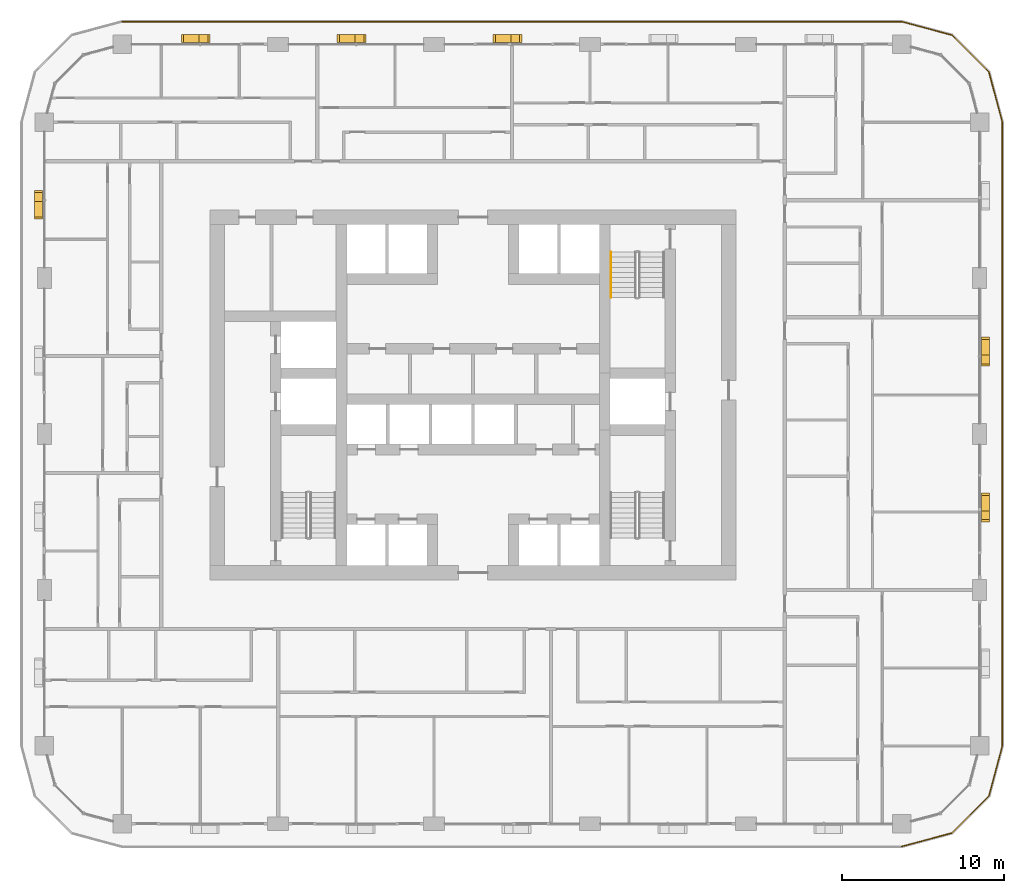
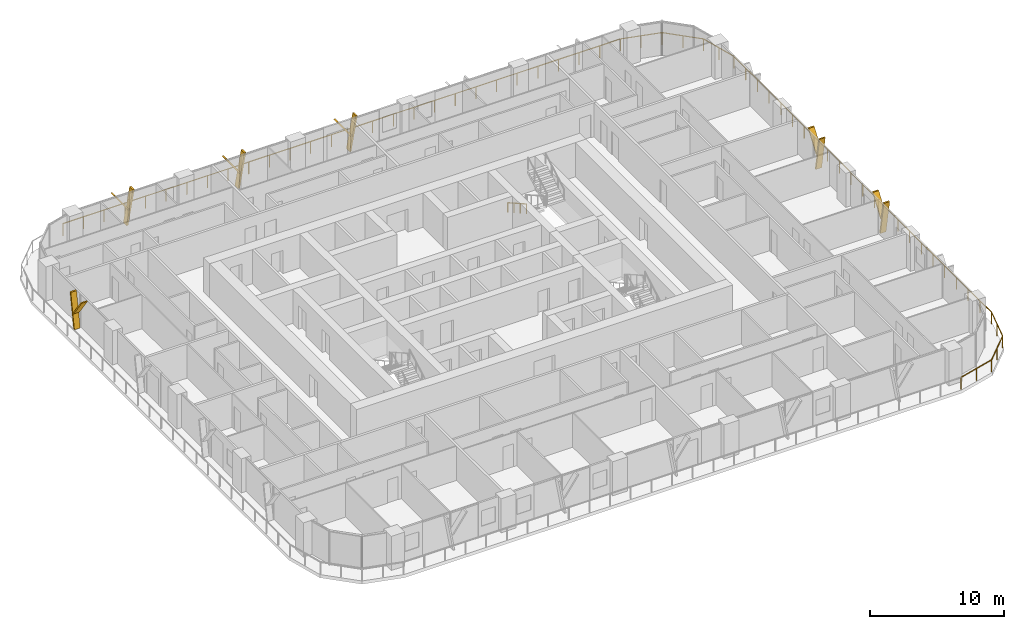
# One storey, part 20 of 21: 12 shading devices, 2 railings.
"""IFC4 building model written with IfcOpenShell, lengths in metres."""

from ifc_helpers import new_model, si_unit, direction, frame, origin, origin_2d, place, context, subcontext, project, spatial, polyline, circle, outline, extrude, material, type_object, element, save


model = new_model("IFC4")

# Units and contexts
model_context = context("Model", 3, precision=1e-05, world=origin(), true_north=direction((0.0, 1.0)))
body_context = subcontext(model_context, "Body", "Model", "MODEL_VIEW")
ifc_project = project(units=[si_unit("LENGTHUNIT", "METRE"), si_unit("AREAUNIT", "SQUARE_METRE"), si_unit("VOLUMEUNIT", "CUBIC_METRE"), si_unit("PLANEANGLEUNIT", "RADIAN"), si_unit("MASSUNIT", "GRAM", prefix="KILO")], contexts=[model_context])

# Site, building, storey
site_placement = place(None, origin())
site = spatial("IfcSite", under=ifc_project, at=site_placement, CompositionType="ELEMENT")
building_placement = place(site_placement, origin())
building = spatial("IfcBuilding", under=site, at=building_placement, Name="Madar Terraces", CompositionType="ELEMENT")
storey_placement = place(building_placement, frame((0.0, 0.0, 80.300048828125)))
storey = spatial("IfcBuildingStorey", under=building, at=storey_placement, Name="L20", CompositionType="ELEMENT", Elevation=80.300048828125)

# Railing
ifc_material_1 = material(Name="Glass, safety glazing, with stainless steel posts", Category="steel")
railing_type_1 = type_object("IfcRailingType", Name="Balcony glass guard 1100", PredefinedType="GUARDRAIL", material=ifc_material_1)
railing_1_placement = place(storey_placement, frame((57.60009765625, -1.39990234375, 0.0)))
element("IfcRailing", 1, at=railing_1_placement, inside=storey, type_object=railing_type_1, Name="Balcony guard", PredefinedType="GUARDRAIL", context=body_context, shape_type="SweptSolid", body=[
    extrude(circle(Radius=0.02392578125, at=origin_2d()), frame((0.0, 0.0, 1.076171875), z_axis=(0.965928696102, 0.258808334578, 0.0), x_axis=(-0.258808334578, 0.965928696102, 0.0)), (0.0, 0.0, 1.0), 3.209228515625),
    extrude(circle(Radius=0.02392578125, at=origin_2d()), frame((3.099853515625, 0.83056640625, 1.076171875), z_axis=(0.707144815061, 0.707068745266, 0.0), x_axis=(-0.707068745266, 0.707144815061, 0.0)), (0.0, 0.0, 1.0), 3.20947265625),
    extrude(circle(Radius=0.02392578125, at=origin_2d()), frame((5.369384765625, 3.099853515625, 1.076171875), z_axis=(0.258789317819, 0.9659337912, 0.0), x_axis=(-0.9659337912, 0.258789317819, 0.0)), (0.0, 0.0, 1.0), 3.20947265625),
    extrude(circle(Radius=0.02392578125, at=origin_2d()), frame((6.199951171875, 6.199951171875, 1.076171875), z_axis=(0.0, 1.0, 0.0), x_axis=(-1.0, 0.0, 0.0)), (0.0, 0.0, 1.0), 38.39990234375),
    extrude(circle(Radius=0.02392578125, at=origin_2d()), frame((6.199951171875, 44.599853515625, 1.076171875), z_axis=(-0.258789317819, 0.9659337912, 0.0), x_axis=(-0.9659337912, -0.258789317819, 0.0)), (0.0, 0.0, 1.0), 3.20947265625),
    extrude(circle(Radius=0.02392578125, at=origin_2d()), frame((5.369384765625, 47.699951171875, 1.076171875), z_axis=(-0.707144815061, 0.707068745266, 0.0), x_axis=(-0.707068745266, -0.707144815061, 0.0)), (0.0, 0.0, 1.0), 3.20947265625),
    extrude(circle(Radius=0.02392578125, at=origin_2d()), frame((3.099853515625, 49.96923828125, 1.076171875), z_axis=(-0.965928696102, 0.258808334578, 0.0), x_axis=(-0.258808334578, -0.965928696102, 0.0)), (0.0, 0.0, 1.0), 3.209228515625),
    extrude(circle(Radius=0.02392578125, at=origin_2d()), frame((0.0, 50.7998046875, 1.076171875), z_axis=(-1.0, 0.0, 0.0), x_axis=(0.0, -1.0, 0.0)), (0.0, 0.0, 1.0), 48.0),
    extrude(circle(Radius=0.02099609375, at=origin_2d()), origin(), (0.0, 0.0, 1.0), 1.052001953125),
    extrude(circle(Radius=0.02099609375, at=origin_2d()), frame((1.5498046875, 0.415283203125, 0.0)), (0.0, 0.0, 1.0), 1.052001953125),
    extrude(circle(Radius=0.02099609375, at=origin_2d()), frame((3.099853515625, 0.83056640625, 0.0)), (0.0, 0.0, 1.0), 1.052001953125),
    extrude(circle(Radius=0.02099609375, at=origin_2d()), frame((4.234619140625, 1.96533203125, 0.0)), (0.0, 0.0, 1.0), 1.052001953125),
    extrude(circle(Radius=0.02099609375, at=origin_2d()), frame((5.369384765625, 3.099853515625, 0.0)), (0.0, 0.0, 1.0), 1.052001953125),
    extrude(circle(Radius=0.02099609375, at=origin_2d()), frame((5.78466796875, 4.64990234375, 0.0)), (0.0, 0.0, 1.0), 1.052001953125),
    extrude(circle(Radius=0.02099609375, at=origin_2d()), frame((6.199951171875, 6.199951171875, 0.0)), (0.0, 0.0, 1.0), 1.052001953125),
    extrude(circle(Radius=0.02099609375, at=origin_2d()), frame((6.199951171875, 7.9453125, 0.0)), (0.0, 0.0, 1.0), 1.052001953125),
    extrude(circle(Radius=0.02099609375, at=origin_2d()), frame((6.199951171875, 9.69091796875, 0.0)), (0.0, 0.0, 1.0), 1.052001953125),
    extrude(circle(Radius=0.02099609375, at=origin_2d()), frame((6.199951171875, 11.436279296875, 0.0)), (0.0, 0.0, 1.0), 1.052001953125),
    extrude(circle(Radius=0.02099609375, at=origin_2d()), frame((6.199951171875, 13.181640625, 0.0)), (0.0, 0.0, 1.0), 1.052001953125),
    extrude(circle(Radius=0.02099609375, at=origin_2d()), frame((6.199951171875, 14.92724609375, 0.0)), (0.0, 0.0, 1.0), 1.052001953125),
    extrude(circle(Radius=0.02099609375, at=origin_2d()), frame((6.199951171875, 16.672607421875, 0.0)), (0.0, 0.0, 1.0), 1.052001953125),
    extrude(circle(Radius=0.02099609375, at=origin_2d()), frame((6.199951171875, 18.418212890625, 0.0)), (0.0, 0.0, 1.0), 1.052001953125),
    extrude(circle(Radius=0.02099609375, at=origin_2d()), frame((6.199951171875, 20.16357421875, 0.0)), (0.0, 0.0, 1.0), 1.052001953125),
    extrude(circle(Radius=0.02099609375, at=origin_2d()), frame((6.199951171875, 21.908935546875, 0.0)), (0.0, 0.0, 1.0), 1.052001953125),
    extrude(circle(Radius=0.02099609375, at=origin_2d()), frame((6.199951171875, 23.654541015625, 0.0)), (0.0, 0.0, 1.0), 1.052001953125),
    extrude(circle(Radius=0.02099609375, at=origin_2d()), frame((6.199951171875, 25.39990234375, 0.0)), (0.0, 0.0, 1.0), 1.052001953125),
    extrude(circle(Radius=0.02099609375, at=origin_2d()), frame((6.199951171875, 27.145263671875, 0.0)), (0.0, 0.0, 1.0), 1.052001953125),
    extrude(circle(Radius=0.02099609375, at=origin_2d()), frame((6.199951171875, 28.890869140625, 0.0)), (0.0, 0.0, 1.0), 1.052001953125),
    extrude(circle(Radius=0.02099609375, at=origin_2d()), frame((6.199951171875, 30.63623046875, 0.0)), (0.0, 0.0, 1.0), 1.052001953125),
    extrude(circle(Radius=0.02099609375, at=origin_2d()), frame((6.199951171875, 32.381591796875, 0.0)), (0.0, 0.0, 1.0), 1.052001953125),
    extrude(circle(Radius=0.02099609375, at=origin_2d()), frame((6.199951171875, 34.127197265625, 0.0)), (0.0, 0.0, 1.0), 1.052001953125),
    extrude(circle(Radius=0.02099609375, at=origin_2d()), frame((6.199951171875, 35.87255859375, 0.0)), (0.0, 0.0, 1.0), 1.052001953125),
    extrude(circle(Radius=0.02099609375, at=origin_2d()), frame((6.199951171875, 37.6181640625, 0.0)), (0.0, 0.0, 1.0), 1.052001953125),
    extrude(circle(Radius=0.02099609375, at=origin_2d()), frame((6.199951171875, 39.363525390625, 0.0)), (0.0, 0.0, 1.0), 1.052001953125),
    extrude(circle(Radius=0.02099609375, at=origin_2d()), frame((6.199951171875, 41.10888671875, 0.0)), (0.0, 0.0, 1.0), 1.052001953125),
    extrude(circle(Radius=0.02099609375, at=origin_2d()), frame((6.199951171875, 42.8544921875, 0.0)), (0.0, 0.0, 1.0), 1.052001953125),
    extrude(circle(Radius=0.02099609375, at=origin_2d()), frame((6.199951171875, 44.599853515625, 0.0)), (0.0, 0.0, 1.0), 1.052001953125),
    extrude(circle(Radius=0.02099609375, at=origin_2d()), frame((5.78466796875, 46.14990234375, 0.0)), (0.0, 0.0, 1.0), 1.052001953125),
    extrude(circle(Radius=0.02099609375, at=origin_2d()), frame((5.369384765625, 47.699951171875, 0.0)), (0.0, 0.0, 1.0), 1.052001953125),
    extrude(circle(Radius=0.02099609375, at=origin_2d()), frame((4.234619140625, 48.83447265625, 0.0)), (0.0, 0.0, 1.0), 1.052001953125),
    extrude(circle(Radius=0.02099609375, at=origin_2d()), frame((3.099853515625, 49.96923828125, 0.0)), (0.0, 0.0, 1.0), 1.052001953125),
    extrude(circle(Radius=0.02099609375, at=origin_2d()), frame((1.5498046875, 50.384521484375, 0.0)), (0.0, 0.0, 1.0), 1.052001953125),
    extrude(circle(Radius=0.02099609375, at=origin_2d()), frame((0.0, 50.7998046875, 0.0)), (0.0, 0.0, 1.0), 1.052001953125),
    extrude(circle(Radius=0.02099609375, at=origin_2d()), frame((-1.77783203125, 50.7998046875, 0.0)), (0.0, 0.0, 1.0), 1.052001953125),
    extrude(circle(Radius=0.02099609375, at=origin_2d()), frame((-3.5556640625, 50.7998046875, 0.0)), (0.0, 0.0, 1.0), 1.052001953125),
    extrude(circle(Radius=0.02099609375, at=origin_2d()), frame((-5.333251953125, 50.7998046875, 0.0)), (0.0, 0.0, 1.0), 1.052001953125),
    extrude(circle(Radius=0.02099609375, at=origin_2d()), frame((-7.111083984375, 50.7998046875, 0.0)), (0.0, 0.0, 1.0), 1.052001953125),
    extrude(circle(Radius=0.02099609375, at=origin_2d()), frame((-8.888916015625, 50.7998046875, 0.0)), (0.0, 0.0, 1.0), 1.052001953125),
    extrude(circle(Radius=0.02099609375, at=origin_2d()), frame((-10.666748046875, 50.7998046875, 0.0)), (0.0, 0.0, 1.0), 1.052001953125),
    extrude(circle(Radius=0.02099609375, at=origin_2d()), frame((-12.4443359375, 50.7998046875, 0.0)), (0.0, 0.0, 1.0), 1.052001953125),
    extrude(circle(Radius=0.02099609375, at=origin_2d()), frame((-14.22216796875, 50.7998046875, 0.0)), (0.0, 0.0, 1.0), 1.052001953125),
    extrude(circle(Radius=0.02099609375, at=origin_2d()), frame((-16.0, 50.7998046875, 0.0)), (0.0, 0.0, 1.0), 1.052001953125),
    extrude(circle(Radius=0.02099609375, at=origin_2d()), frame((-17.77783203125, 50.7998046875, 0.0)), (0.0, 0.0, 1.0), 1.052001953125),
    extrude(circle(Radius=0.02099609375, at=origin_2d()), frame((-19.5556640625, 50.7998046875, 0.0)), (0.0, 0.0, 1.0), 1.052001953125),
    extrude(circle(Radius=0.02099609375, at=origin_2d()), frame((-21.333251953125, 50.7998046875, 0.0)), (0.0, 0.0, 1.0), 1.052001953125),
    extrude(circle(Radius=0.02099609375, at=origin_2d()), frame((-23.111083984375, 50.7998046875, 0.0)), (0.0, 0.0, 1.0), 1.052001953125),
    extrude(circle(Radius=0.02099609375, at=origin_2d()), frame((-24.888916015625, 50.7998046875, 0.0)), (0.0, 0.0, 1.0), 1.052001953125),
    extrude(circle(Radius=0.02099609375, at=origin_2d()), frame((-26.666748046875, 50.7998046875, 0.0)), (0.0, 0.0, 1.0), 1.052001953125),
    extrude(circle(Radius=0.02099609375, at=origin_2d()), frame((-28.4443359375, 50.7998046875, 0.0)), (0.0, 0.0, 1.0), 1.052001953125),
    extrude(circle(Radius=0.02099609375, at=origin_2d()), frame((-30.22216796875, 50.7998046875, 0.0)), (0.0, 0.0, 1.0), 1.052001953125),
    extrude(circle(Radius=0.02099609375, at=origin_2d()), frame((-32.0, 50.7998046875, 0.0)), (0.0, 0.0, 1.0), 1.052001953125),
    extrude(circle(Radius=0.02099609375, at=origin_2d()), frame((-33.77783203125, 50.7998046875, 0.0)), (0.0, 0.0, 1.0), 1.052001953125),
    extrude(circle(Radius=0.02099609375, at=origin_2d()), frame((-35.5556640625, 50.7998046875, 0.0)), (0.0, 0.0, 1.0), 1.052001953125),
    extrude(circle(Radius=0.02099609375, at=origin_2d()), frame((-37.333251953125, 50.7998046875, 0.0)), (0.0, 0.0, 1.0), 1.052001953125),
    extrude(circle(Radius=0.02099609375, at=origin_2d()), frame((-39.111083984375, 50.7998046875, 0.0)), (0.0, 0.0, 1.0), 1.052001953125),
    extrude(circle(Radius=0.02099609375, at=origin_2d()), frame((-40.888916015625, 50.7998046875, 0.0)), (0.0, 0.0, 1.0), 1.052001953125),
    extrude(circle(Radius=0.02099609375, at=origin_2d()), frame((-42.666748046875, 50.7998046875, 0.0)), (0.0, 0.0, 1.0), 1.052001953125),
    extrude(circle(Radius=0.02099609375, at=origin_2d()), frame((-44.4443359375, 50.7998046875, 0.0)), (0.0, 0.0, 1.0), 1.052001953125),
    extrude(circle(Radius=0.02099609375, at=origin_2d()), frame((-46.22216796875, 50.7998046875, 0.0)), (0.0, 0.0, 1.0), 1.052001953125),
    extrude(circle(Radius=0.02099609375, at=origin_2d()), frame((-48.0, 50.7998046875, 0.0)), (0.0, 0.0, 1.0), 1.052001953125),
])

# Shading devices
ifc_material_2 = material(Name="Aluminium, black anodised", Category="aluminium")
shading_device_type = type_object("IfcShadingDeviceType", Name="Facade fin blade 140 x 500", PredefinedType="USERDEFINED", material=ifc_material_2)
shading_device_1_placement = place(storey_placement, frame((62.75, 19.1298828125, 0.0), z_axis=(0.0, 0.0, 1.0), x_axis=(0.0, 1.0, 0.0)))
element("IfcShadingDevice", 2, at=shading_device_1_placement, inside=storey, type_object=shading_device_type, Name="FIN L20 E2", ObjectType="FIN", PredefinedType="USERDEFINED", context=body_context, shape_type="SweptSolid", body=[
    extrude(outline(polyline([(0.0, 0.0), (0.14013671875, 0.0), (-0.403076171875, 3.079833984375), (-0.54296875, 3.079833984375), (0.0, 0.0)])), frame((0.0, 0.25, 0.0), z_axis=(0.0, -1.0, 0.0), x_axis=(1.0, 0.0, 0.0)), (0.0, 0.0, 1.0), 0.5),
])
shading_device_2_placement = place(storey_placement, frame((62.75, 19.025634765625, 1.385986328125), z_axis=(0.0, 0.0, 1.0), x_axis=(0.0, 1.0, 0.0)))
element("IfcShadingDevice", 3, at=shading_device_2_placement, inside=storey, type_object=shading_device_type, Name="FIN L20 E2 branch", ObjectType="FIN", PredefinedType="USERDEFINED", context=body_context, shape_type="SweptSolid", body=[
    extrude(outline(polyline([(0.0, 0.0), (0.139892578125, 0.0), (1.34130859375, 1.69384765625), (1.201416015625, 1.69384765625), (0.0, 0.0)])), frame((0.0, 0.25, 0.0), z_axis=(0.0, -1.0, 0.0), x_axis=(1.0, 0.0, 0.0)), (0.0, 0.0, 1.0), 0.5),
])
shading_device_3_placement = place(storey_placement, frame((62.75, 28.72998046875, 0.0), z_axis=(0.0, 0.0, 1.0), x_axis=(0.0, 1.0, 0.0)))
element("IfcShadingDevice", 4, at=shading_device_3_placement, inside=storey, type_object=shading_device_type, Name="FIN L20 E3", ObjectType="FIN", PredefinedType="USERDEFINED", context=body_context, shape_type="SweptSolid", body=[
    extrude(outline(polyline([(0.0, 0.0), (0.14013671875, 0.0), (-0.403076171875, 3.079833984375), (-0.54296875, 3.079833984375), (0.0, 0.0)])), frame((0.0, 0.25, 0.0), z_axis=(0.0, -1.0, 0.0), x_axis=(1.0, 0.0, 0.0)), (0.0, 0.0, 1.0), 0.5),
])
shading_device_4_placement = place(storey_placement, frame((62.75, 28.625732421875, 1.385986328125), z_axis=(0.0, 0.0, 1.0), x_axis=(0.0, 1.0, 0.0)))
element("IfcShadingDevice", 5, at=shading_device_4_placement, inside=storey, type_object=shading_device_type, Name="FIN L20 E3 branch", ObjectType="FIN", PredefinedType="USERDEFINED", context=body_context, shape_type="SweptSolid", body=[
    extrude(outline(polyline([(0.0, 0.0), (0.139892578125, 0.0), (1.34130859375, 1.69384765625), (1.201416015625, 1.69384765625), (0.0, 0.0)])), frame((0.0, 0.25, 0.0), z_axis=(0.0, -1.0, 0.0), x_axis=(1.0, 0.0, 0.0)), (0.0, 0.0, 1.0), 0.5),
])
shading_device_5_placement = place(storey_placement, frame((33.669921875, 48.35009765625, 0.0), z_axis=(0.0, 0.0, 1.0), x_axis=(-1.0, 0.0, 0.0)))
element("IfcShadingDevice", 6, at=shading_device_5_placement, inside=storey, type_object=shading_device_type, Name="FIN L20 N3", ObjectType="FIN", PredefinedType="USERDEFINED", context=body_context, shape_type="SweptSolid", body=[
    extrude(outline(polyline([(0.0, 0.0), (0.139892578125, 0.0), (-0.403076171875, 3.079833984375), (-0.54296875, 3.079833984375), (0.0, 0.0)])), frame((0.0, 0.25, 0.0), z_axis=(0.0, -1.0, 0.0), x_axis=(1.0, 0.0, 0.0)), (0.0, 0.0, 1.0), 0.5),
])
shading_device_6_placement = place(storey_placement, frame((33.7744140625, 48.35009765625, 1.385986328125), z_axis=(0.0, 0.0, 1.0), x_axis=(-1.0, 0.0, 0.0)))
element("IfcShadingDevice", 7, at=shading_device_6_placement, inside=storey, type_object=shading_device_type, Name="FIN L20 N3 branch", ObjectType="FIN", PredefinedType="USERDEFINED", context=body_context, shape_type="SweptSolid", body=[
    extrude(outline(polyline([(0.0, 0.0), (0.14013671875, 0.0), (1.34130859375, 1.69384765625), (1.201416015625, 1.69384765625), (0.0, 0.0)])), frame((0.0, 0.25, 0.0), z_axis=(0.0, -1.0, 0.0), x_axis=(1.0, 0.0, 0.0)), (0.0, 0.0, 1.0), 0.5),
])
shading_device_7_placement = place(storey_placement, frame((24.070068359375, 48.35009765625, 0.0), z_axis=(0.0, 0.0, 1.0), x_axis=(-1.0, 0.0, 0.0)))
element("IfcShadingDevice", 8, at=shading_device_7_placement, inside=storey, type_object=shading_device_type, Name="FIN L20 N4", ObjectType="FIN", PredefinedType="USERDEFINED", context=body_context, shape_type="SweptSolid", body=[
    extrude(outline(polyline([(0.0, 0.0), (0.14013671875, 0.0), (-0.403076171875, 3.079833984375), (-0.54296875, 3.079833984375), (0.0, 0.0)])), frame((0.0, 0.25, 0.0), z_axis=(0.0, -1.0, 0.0), x_axis=(1.0, 0.0, 0.0)), (0.0, 0.0, 1.0), 0.5),
])
shading_device_8_placement = place(storey_placement, frame((24.17431640625, 48.35009765625, 1.385986328125), z_axis=(0.0, 0.0, 1.0), x_axis=(-1.0, 0.0, 0.0)))
element("IfcShadingDevice", 9, at=shading_device_8_placement, inside=storey, type_object=shading_device_type, Name="FIN L20 N4 branch", ObjectType="FIN", PredefinedType="USERDEFINED", context=body_context, shape_type="SweptSolid", body=[
    extrude(outline(polyline([(0.0, 0.0), (0.139892578125, 0.0), (1.34130859375, 1.69384765625), (1.201416015625, 1.69384765625), (0.0, 0.0)])), frame((0.0, 0.25, 0.0), z_axis=(0.0, -1.0, 0.0), x_axis=(1.0, 0.0, 0.0)), (0.0, 0.0, 1.0), 0.5),
])
shading_device_9_placement = place(storey_placement, frame((14.469970703125, 48.35009765625, 0.0), z_axis=(0.0, 0.0, 1.0), x_axis=(-1.0, 0.0, 0.0)))
element("IfcShadingDevice", 10, at=shading_device_9_placement, inside=storey, type_object=shading_device_type, Name="FIN L20 N5", ObjectType="FIN", PredefinedType="USERDEFINED", context=body_context, shape_type="SweptSolid", body=[
    extrude(outline(polyline([(0.0, 0.0), (0.139892578125, 0.0), (-0.403076171875, 3.079833984375), (-0.54296875, 3.079833984375), (0.0, 0.0)])), frame((0.0, 0.25, 0.0), z_axis=(0.0, -1.0, 0.0), x_axis=(1.0, 0.0, 0.0)), (0.0, 0.0, 1.0), 0.5),
])
shading_device_10_placement = place(storey_placement, frame((14.574462890625, 48.35009765625, 1.385986328125), z_axis=(0.0, 0.0, 1.0), x_axis=(-1.0, 0.0, 0.0)))
element("IfcShadingDevice", 11, at=shading_device_10_placement, inside=storey, type_object=shading_device_type, Name="FIN L20 N5 branch", ObjectType="FIN", PredefinedType="USERDEFINED", context=body_context, shape_type="SweptSolid", body=[
    extrude(outline(polyline([(0.0, 0.0), (0.14013671875, 0.0), (1.34130859375, 1.69384765625), (1.201416015625, 1.69384765625), (0.0, 0.0)])), frame((0.0, 0.25, 0.0), z_axis=(0.0, -1.0, 0.0), x_axis=(1.0, 0.0, 0.0)), (0.0, 0.0, 1.0), 0.5),
])
shading_device_11_placement = place(storey_placement, frame((4.449951171875, 38.469970703125, 0.0), z_axis=(0.0, 0.0, 1.0), x_axis=(0.0, -1.0, 0.0)))
element("IfcShadingDevice", 12, at=shading_device_11_placement, inside=storey, type_object=shading_device_type, Name="FIN L20 W1", ObjectType="FIN", PredefinedType="USERDEFINED", context=body_context, shape_type="SweptSolid", body=[
    extrude(outline(polyline([(0.0, 0.0), (0.139892578125, 0.0), (-0.403076171875, 3.079833984375), (-0.54296875, 3.079833984375), (0.0, 0.0)])), frame((0.0, 0.25, 0.0), z_axis=(0.0, -1.0, 0.0), x_axis=(1.0, 0.0, 0.0)), (0.0, 0.0, 1.0), 0.5),
])
shading_device_12_placement = place(storey_placement, frame((4.449951171875, 38.574462890625, 1.385986328125), z_axis=(0.0, 0.0, 1.0), x_axis=(0.0, -1.0, 0.0)))
element("IfcShadingDevice", 13, at=shading_device_12_placement, inside=storey, type_object=shading_device_type, Name="FIN L20 W1 branch", ObjectType="FIN", PredefinedType="USERDEFINED", context=body_context, shape_type="SweptSolid", body=[
    extrude(outline(polyline([(0.0, 0.0), (0.14013671875, 0.0), (1.34130859375, 1.69384765625), (1.201416015625, 1.69384765625), (0.0, 0.0)])), frame((0.0, 0.25, 0.0), z_axis=(0.0, -1.0, 0.0), x_axis=(1.0, 0.0, 0.0)), (0.0, 0.0, 1.0), 0.5),
])

# Railing
ifc_material_3 = material(Name="Stainless steel railing", Category="steel")
railing_type_2 = type_object("IfcRailingType", Name="Stair handrail 900", PredefinedType="HANDRAIL", material=ifc_material_3)
railing_2_placement = place(storey_placement, frame((39.699951171875, 35.199951171875, 0.175048828125)))
element("IfcRailing", 14, at=railing_2_placement, inside=storey, type_object=railing_type_2, Name="L20 ST2 stair handrail 1", PredefinedType="HANDRAIL", context=body_context, shape_type="SweptSolid", body=[
    extrude(circle(Radius=0.02392578125, at=origin_2d()), frame((0.0, 0.0, 0.8759765625), z_axis=(0.0, -0.870833779661, 0.491577591232), x_axis=(1.0, 0.0, 0.0)), (0.0, 0.0, 1.0), 3.203857421875),
    extrude(circle(Radius=0.02099609375, at=origin_2d()), origin(), (0.0, 0.0, 1.0), 0.851806640625),
    extrude(circle(Radius=0.02099609375, at=origin_2d()), frame((0.0, -0.929931640625, 0.52490234375)), (0.0, 0.0, 1.0), 0.851806640625),
    extrude(circle(Radius=0.02099609375, at=origin_2d()), frame((0.0, -1.860107421875, 1.050048828125)), (0.0, 0.0, 1.0), 0.851806640625),
    extrude(circle(Radius=0.02099609375, at=origin_2d()), frame((0.0, -2.7900390625, 1.574951171875)), (0.0, 0.0, 1.0), 0.851806640625),
])

save(model, "model.ifc")
